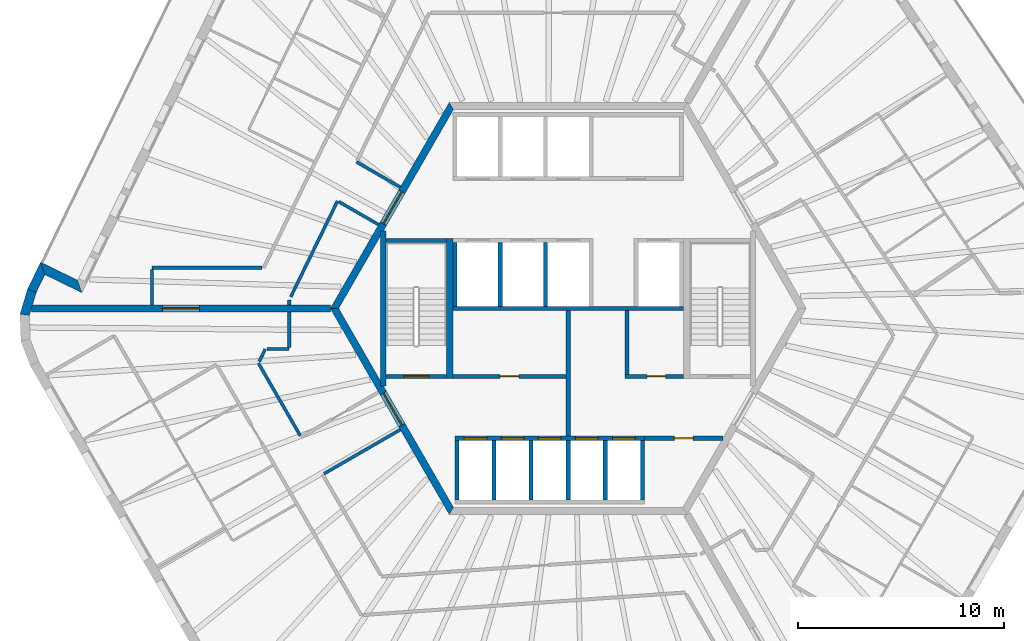
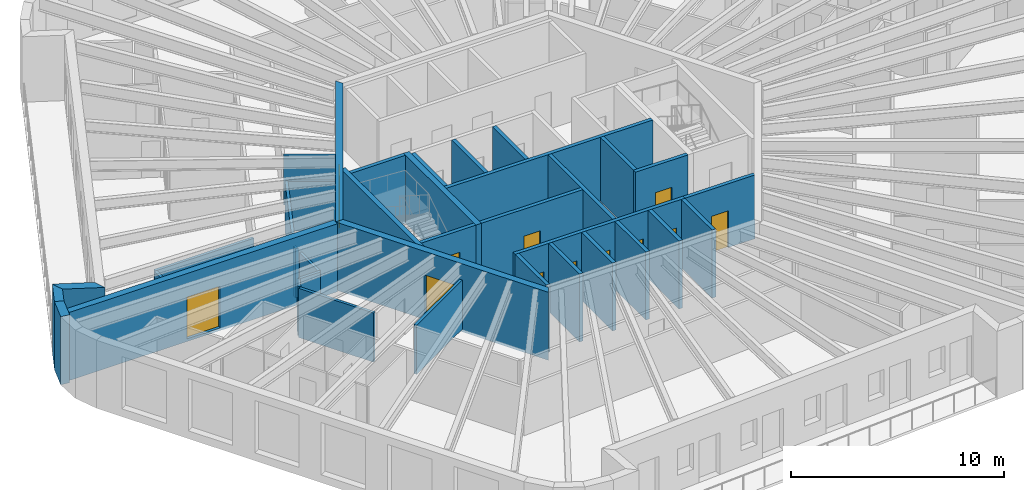
# One storey, part 4 of 11: 37 walls, 12 doors, 12 openings.
"""IFC4 building model written with IfcOpenShell, lengths in metres."""

from ifc_helpers import new_model, si_unit, direction, frame, frame_2d, origin, place, context, subcontext, project, spatial, polyline, rectangle, outline, extrude, material, layer, layer_set, type_object, element, fill, save


model = new_model("IFC4")

# Units and contexts
model_context = context("Model", 3, precision=1e-05, world=origin(), true_north=direction((0.0, 1.0)))
body_context = subcontext(model_context, "Body", "Model", "MODEL_VIEW")
ifc_project = project(units=[si_unit("LENGTHUNIT", "METRE"), si_unit("AREAUNIT", "SQUARE_METRE"), si_unit("VOLUMEUNIT", "CUBIC_METRE"), si_unit("PLANEANGLEUNIT", "RADIAN"), si_unit("MASSUNIT", "GRAM", prefix="KILO")], contexts=[model_context])

# Site, building, storey
site_placement = place(None, origin())
site = spatial("IfcSite", under=ifc_project, at=site_placement, CompositionType="ELEMENT")
building_placement = place(site_placement, origin())
building = spatial("IfcBuilding", under=site, at=building_placement, Name="Tarnside Tower", CompositionType="ELEMENT")
storey_placement = place(building_placement, frame((0.0, 0.0, 357.300048828125)))
storey = spatial("IfcBuildingStorey", under=building, at=storey_placement, Name="L86", CompositionType="ELEMENT", Elevation=357.300048828125)

# Wall, opening, door
ifc_material_1 = material(Name="Concrete C40/50", Category="concrete")
ifc_layer_1 = layer(ifc_material_1, 0.199951171875)
ifc_layer_set_1 = layer_set([ifc_layer_1], Name="Core room partition 200 C40/50")
wall_type_1 = type_object("IfcWallType", Name="Core room partition 200 C40/50", PredefinedType="PARTITIONING", material=ifc_layer_set_1)
wall_1_placement = place(storey_placement, frame((-5.60009765625, -3.300048828125, 0.0), z_axis=(0.0, 0.0, 1.0), x_axis=(1.0, 0.0, 0.0)))
wall_1 = element("IfcWall", 1, at=wall_1_placement, inside=storey, type_object=wall_type_1, Name="L86 core partition W3", PredefinedType="PARTITIONING", context=body_context, shape_type="SweptSolid", body=[
    extrude(rectangle(XDim=5.5, YDim=0.199951171875, at=frame_2d((2.75, 0.0))), origin(), (0.0, 0.0, 1.0), 3.64990234375),
])
opening_1_placement = place(wall_1_placement, frame((2.300048828125, 0.0, 0.0)))
opening_1 = element("IfcOpeningElement", 2, at=opening_1_placement, cuts=wall_1, Name="Opening CD-room", PredefinedType="OPENING", context=body_context, shape_type="SweptSolid", body=[
    extrude(rectangle(XDim=0.89990234375, YDim=2.10009765625, at=frame_2d((0.449951171875, 1.050048828125))), frame((0.0, 0.10986328125, 0.0), z_axis=(0.0, -1.0, 0.0), x_axis=(1.0, 0.0, 0.0)), (0.0, 0.0, 1.0), 0.219970703125),
])
ifc_material_2 = material(Name="Steel fire door", Category="steel")
door_type_1 = type_object("IfcDoorType", Name="Room door FD60 900x2100", OperationType="NOTDEFINED", PredefinedType="DOOR", material=ifc_material_2)
door_1_placement = place(opening_1_placement, origin())
door_1 = element("IfcDoor", 3, at=door_1_placement, inside=storey, type_object=door_type_1, Name="L86 core room door W3D", OperationType="SINGLE_SWING_LEFT", OverallHeight=2.10009765625, OverallWidth=0.89990234375, PredefinedType="DOOR", context=body_context, shape_type="SweptSolid", body=[
    extrude(rectangle(XDim=0.89990234375, YDim=2.10009765625, at=frame_2d((0.449951171875, 1.050048828125))), frame((0.0, 0.02490234375, 0.0), z_axis=(0.0, -1.0, 0.0), x_axis=(1.0, 0.0, 0.0)), (0.0, 0.0, 1.0), 0.050048828125),
])
fill(opening_1, door_1)

wall_2_placement = place(storey_placement, frame((2.75, -3.300048828125, 0.0), z_axis=(0.0, 0.0, 1.0), x_axis=(1.0, 0.0, 0.0)))
wall_2 = element("IfcWall", 4, at=wall_2_placement, inside=storey, type_object=wall_type_1, Name="L86 core partition R3S1", PredefinedType="PARTITIONING", context=body_context, shape_type="SweptSolid", body=[
    extrude(rectangle(XDim=2.85009765625, YDim=0.199951171875, at=frame_2d((1.425048828125, 0.0))), origin(), (0.0, 0.0, 1.0), 3.64990234375),
])
opening_2_placement = place(wall_2_placement, frame((1.074951171875, 0.0, 0.0)))
opening_2 = element("IfcOpeningElement", 5, at=opening_2_placement, cuts=wall_2, Name="Opening CD-room", PredefinedType="OPENING", context=body_context, shape_type="SweptSolid", body=[
    extrude(rectangle(XDim=0.89990234375, YDim=2.10009765625, at=frame_2d((0.449951171875, 1.050048828125))), frame((0.0, 0.10986328125, 0.0), z_axis=(0.0, -1.0, 0.0), x_axis=(1.0, 0.0, 0.0)), (0.0, 0.0, 1.0), 0.219970703125),
])
door_2_placement = place(opening_2_placement, origin())
door_2 = element("IfcDoor", 6, at=door_2_placement, inside=storey, type_object=door_type_1, Name="L86 core room door SR1", OperationType="SINGLE_SWING_LEFT", OverallHeight=2.10009765625, OverallWidth=0.89990234375, PredefinedType="DOOR", context=body_context, shape_type="SweptSolid", body=[
    extrude(rectangle(XDim=0.89990234375, YDim=2.10009765625, at=frame_2d((0.449951171875, 1.050048828125))), frame((0.0, 0.02490234375, 0.0), z_axis=(0.0, -1.0, 0.0), x_axis=(1.0, 0.0, 0.0)), (0.0, 0.0, 1.0), 0.050048828125),
])
fill(opening_2, door_2)

# Walls
wall_3_placement = place(storey_placement, frame((2.85009765625, -3.199951171875, 0.0), z_axis=(0.0, 0.0, 1.0), x_axis=(0.0, 1.0, 0.0)))
element("IfcWall", 7, at=wall_3_placement, inside=storey, type_object=wall_type_1, Name="L86 core partition R3P1a", PredefinedType="PARTITIONING", context=body_context, shape_type="SweptSolid", body=[
    extrude(rectangle(XDim=3.099853515625, YDim=0.199951171875, at=frame_2d((1.5498046875, 0.0))), origin(), (0.0, 0.0, 1.0), 3.64990234375),
])
wall_4_placement = place(storey_placement, frame((0.0, -6.199951171875, 0.0), z_axis=(0.0, 0.0, 1.0), x_axis=(0.0, 1.0, 0.0)))
element("IfcWall", 8, at=wall_4_placement, inside=storey, type_object=wall_type_1, Name="L86 core partition X0", PredefinedType="PARTITIONING", context=body_context, shape_type="SweptSolid", body=[
    extrude(rectangle(XDim=6.099853515625, YDim=0.199951171875, at=frame_2d((3.0498046875, 0.0))), origin(), (0.0, 0.0, 1.0), 3.64990234375),
])

# Wall, opening, door
wall_5_placement = place(storey_placement, frame((3.699951171875, -6.300048828125, 0.0), z_axis=(0.0, 0.0, 1.0), x_axis=(1.0, 0.0, 0.0)))
wall_5 = element("IfcWall", 9, at=wall_5_placement, inside=storey, type_object=wall_type_1, Name="L86 core partition R4X", PredefinedType="PARTITIONING", context=body_context, shape_type="SweptSolid", body=[
    extrude(rectangle(XDim=3.8056640625, YDim=0.199951171875, at=frame_2d((1.90283203125, 0.0))), origin(), (0.0, 0.0, 1.0), 3.64990234375),
])
opening_3_placement = place(wall_5_placement, frame((1.452880859375, 0.0, 0.0)))
opening_3 = element("IfcOpeningElement", 10, at=opening_3_placement, cuts=wall_5, Name="Opening CD-room", PredefinedType="OPENING", context=body_context, shape_type="SweptSolid", body=[
    extrude(rectangle(XDim=0.89990234375, YDim=2.10009765625, at=frame_2d((0.449951171875, 1.050048828125))), frame((0.0, 0.10986328125, 0.0), z_axis=(0.0, -1.0, 0.0), x_axis=(1.0, 0.0, 0.0)), (0.0, 0.0, 1.0), 0.219970703125),
])
door_3_placement = place(opening_3_placement, origin())
door_3 = element("IfcDoor", 11, at=door_3_placement, inside=storey, type_object=door_type_1, Name="L86 core room door RX", OperationType="SINGLE_SWING_LEFT", OverallHeight=2.10009765625, OverallWidth=0.89990234375, PredefinedType="DOOR", context=body_context, shape_type="SweptSolid", body=[
    extrude(rectangle(XDim=0.89990234375, YDim=2.10009765625, at=frame_2d((0.449951171875, 1.050048828125))), frame((0.0, 0.02490234375, 0.0), z_axis=(0.0, -1.0, 0.0), x_axis=(1.0, 0.0, 0.0)), (0.0, 0.0, 1.0), 0.050048828125),
])
fill(opening_3, door_3)

ifc_material_3 = material(Name="Concrete C50/60", Category="concrete")
ifc_layer_2 = layer(ifc_material_3, 0.35009765625)
ifc_layer_set_2 = layer_set([ifc_layer_2], Name="Core wall Z4 350 C50/60")
wall_type_2 = type_object("IfcWallType", Name="Core wall Z4 350 C50/60", PredefinedType="SHEAR", material=ifc_layer_set_2)
wall_6_placement = place(storey_placement, frame((-5.672607421875, 9.824951171875, -0.150146484375), z_axis=(0.0, 0.0, 1.0), x_axis=(-0.499995046907, -0.866028263435, 0.0)))
wall_6 = element("IfcWall", 12, at=wall_6_placement, inside=storey, type_object=wall_type_2, Name="L86 core wall face 2", PredefinedType="SHEAR", context=body_context, shape_type="SweptSolid", body=[
    extrude(outline(polyline([(-0.10107421875, -0.175048828125), (11.44580078125, -0.175048828125), (11.24365234375, 0.175048828125), (0.10107421875, 0.175048828125), (-0.10107421875, -0.175048828125)])), origin(), (0.0, 0.0, 1.0), 3.900146484375),
])
opening_4_placement = place(wall_6_placement, frame((4.80126953125, 0.0, 0.14990234375)))
opening_4 = element("IfcOpeningElement", 13, at=opening_4_placement, cuts=wall_6, Name="Opening CD-LOB", PredefinedType="OPENING", context=body_context, shape_type="SweptSolid", body=[
    extrude(rectangle(XDim=1.800048828125, YDim=2.39990234375, at=frame_2d((0.89990234375, 1.199951171875))), frame((0.0, 0.18505859375, 0.0), z_axis=(0.0, -1.0, 0.0), x_axis=(1.0, 0.0, 0.0)), (0.0, 0.0, 1.0), 0.3701171875),
])
door_type_2 = type_object("IfcDoorType", Name="Lobby double door FD30S 1800x2400", OperationType="NOTDEFINED", PredefinedType="DOOR", material=ifc_material_2)
door_4_placement = place(opening_4_placement, origin())
door_4 = element("IfcDoor", 14, at=door_4_placement, inside=storey, type_object=door_type_2, Name="L86 core door P1", OperationType="DOUBLE_DOOR_SINGLE_SWING", OverallHeight=2.39990234375, OverallWidth=1.800048828125, PredefinedType="DOOR", context=body_context, shape_type="SweptSolid", body=[
    extrude(rectangle(XDim=1.800048828125, YDim=2.39990234375, at=frame_2d((0.89990234375, 1.199951171875))), frame((0.0, 0.02490234375, 0.0), z_axis=(0.0, -1.0, 0.0), x_axis=(1.0, 0.0, 0.0)), (0.0, 0.0, 1.0), 0.050048828125),
])
fill(opening_4, door_4)

wall_7_placement = place(storey_placement, frame((-11.344970703125, 0.0, -0.150146484375), z_axis=(0.0, 0.0, 1.0), x_axis=(0.499995046907, -0.866028263435, 0.0)))
wall_7 = element("IfcWall", 15, at=wall_7_placement, inside=storey, type_object=wall_type_2, Name="L86 core wall face 3", PredefinedType="SHEAR", context=body_context, shape_type="SweptSolid", body=[
    extrude(outline(polyline([(-0.10107421875, -0.175048828125), (11.44580078125, -0.175048828125), (11.24365234375, 0.175048828125), (0.10107421875, 0.175048828125), (-0.10107421875, -0.175048828125)])), origin(), (0.0, 0.0, 1.0), 3.900146484375),
])
opening_5_placement = place(wall_7_placement, frame((4.74365234375, 0.0, 0.14990234375)))
opening_5 = element("IfcOpeningElement", 16, at=opening_5_placement, cuts=wall_7, Name="Opening CD-FFL", PredefinedType="OPENING", context=body_context, shape_type="SweptSolid", body=[
    extrude(rectangle(XDim=1.800048828125, YDim=2.39990234375, at=frame_2d((0.89990234375, 1.199951171875))), frame((0.0, 0.18505859375, 0.0), z_axis=(0.0, -1.0, 0.0), x_axis=(1.0, 0.0, 0.0)), (0.0, 0.0, 1.0), 0.3701171875),
])
door_type_3 = type_object("IfcDoorType", Name="Firefighting lobby double door FD60S 1800x2400", OperationType="NOTDEFINED", PredefinedType="DOOR", material=ifc_material_2)
door_5_placement = place(opening_5_placement, origin())
door_5 = element("IfcDoor", 17, at=door_5_placement, inside=storey, type_object=door_type_3, Name="L86 core door P3", OperationType="DOUBLE_DOOR_SINGLE_SWING", OverallHeight=2.39990234375, OverallWidth=1.800048828125, PredefinedType="DOOR", context=body_context, shape_type="SweptSolid", body=[
    extrude(rectangle(XDim=1.800048828125, YDim=2.39990234375, at=frame_2d((0.89990234375, 1.199951171875))), frame((0.0, 0.02490234375, 0.0), z_axis=(0.0, -1.0, 0.0), x_axis=(1.0, 0.0, 0.0)), (0.0, 0.0, 1.0), 0.050048828125),
])
fill(opening_5, door_5)

wall_8_placement = place(storey_placement, frame((-11.547119140625, 0.0, -0.150146484375), z_axis=(0.0, 0.0, 1.0), x_axis=(-1.0, 0.0, 0.0)))
wall_8 = element("IfcWall", 18, at=wall_8_placement, inside=storey, type_object=wall_type_2, Name="L86 spine wall 2", PredefinedType="SHEAR", context=body_context, shape_type="SweptSolid", body=[
    extrude(rectangle(XDim=14.510498046875, YDim=0.35009765625, at=frame_2d((7.25537109375, 0.0))), origin(), (0.0, 0.0, 1.0), 3.900146484375),
])
opening_6_placement = place(wall_8_placement, frame((6.355224609375, 0.0, 0.14990234375)))
opening_6 = element("IfcOpeningElement", 19, at=opening_6_placement, cuts=wall_8, Name="Opening CD-SPN", PredefinedType="OPENING", context=body_context, shape_type="SweptSolid", body=[
    extrude(rectangle(XDim=1.800048828125, YDim=2.39990234375, at=frame_2d((0.89990234375, 1.199951171875))), frame((0.0, 0.18505859375, 0.0), z_axis=(0.0, -1.0, 0.0), x_axis=(1.0, 0.0, 0.0)), (0.0, 0.0, 1.0), 0.3701171875),
])
door_type_4 = type_object("IfcDoorType", Name="Spine passage double door FD60 1800x2400", OperationType="NOTDEFINED", PredefinedType="DOOR", material=ifc_material_2)
door_6_placement = place(opening_6_placement, origin())
door_6 = element("IfcDoor", 20, at=door_6_placement, inside=storey, type_object=door_type_4, Name="L86 spine passage door 2", OperationType="DOUBLE_DOOR_SINGLE_SWING", OverallHeight=2.39990234375, OverallWidth=1.800048828125, PredefinedType="DOOR", context=body_context, shape_type="SweptSolid", body=[
    extrude(rectangle(XDim=1.800048828125, YDim=2.39990234375, at=frame_2d((0.89990234375, 1.199951171875))), frame((0.0, 0.02490234375, 0.0), z_axis=(0.0, -1.0, 0.0), x_axis=(1.0, 0.0, 0.0)), (0.0, 0.0, 1.0), 0.050048828125),
])
fill(opening_6, door_6)

# Walls
ifc_material_4 = material(Name="Gypsum board partition on steel studs", Category="steel")
ifc_layer_3 = layer(ifc_material_4, 0.14990234375)
ifc_layer_set_3 = layer_set([ifc_layer_3], Name="Corridor wall 150 EI 60")
wall_type_3 = type_object("IfcWallType", Name="Corridor wall 150 EI 60", PredefinedType="PARTITIONING", material=ifc_layer_set_3)
wall_9_placement = place(storey_placement, frame((-14.863525390625, 1.97509765625, 0.0), z_axis=(0.0, 0.0, 1.0), x_axis=(-1.0, 0.0, 0.0)))
element("IfcWall", 21, at=wall_9_placement, inside=storey, type_object=wall_type_3, Name="Corridor wall 27010", PredefinedType="PARTITIONING", context=body_context, shape_type="SweptSolid", body=[
    extrude(rectangle(XDim=5.3388671875, YDim=0.14990234375, at=frame_2d((2.66943359375, 0.0))), origin(), (0.0, 0.0, 1.0), 2.820068359375),
])
wall_10_placement = place(storey_placement, frame((-20.202392578125, 1.89990234375, 0.0), z_axis=(0.0, 0.0, 1.0), x_axis=(0.0, -1.0, 0.0)))
element("IfcWall", 22, at=wall_10_placement, inside=storey, type_object=wall_type_3, Name="Corridor wall 27011", PredefinedType="PARTITIONING", context=body_context, shape_type="SweptSolid", body=[
    extrude(rectangle(XDim=1.724853515625, YDim=0.14990234375, at=frame_2d((0.8623046875, 0.0))), origin(), (0.0, 0.0, 1.0), 2.820068359375),
])
wall_11_placement = place(storey_placement, frame((-13.54052734375, 0.175048828125, 0.0), z_axis=(0.0, 0.0, 1.0), x_axis=(0.0, 1.0, 0.0)))
element("IfcWall", 23, at=wall_11_placement, inside=storey, type_object=wall_type_3, Name="Corridor wall 27015", PredefinedType="PARTITIONING", context=body_context, shape_type="SweptSolid", body=[
    extrude(rectangle(XDim=0.235107421875, YDim=0.14990234375, at=frame_2d((0.11767578125, 0.0))), origin(), (0.0, 0.0, 1.0), 2.820068359375),
])
wall_12_placement = place(storey_placement, frame((-13.465576171875, 0.563720703125, 0.0), z_axis=(0.0, 0.0, 1.0), x_axis=(0.438366040624, 0.898796536724, 0.0)))
element("IfcWall", 24, at=wall_12_placement, inside=storey, type_object=wall_type_3, Name="Corridor wall 27016", PredefinedType="PARTITIONING", context=body_context, shape_type="SweptSolid", body=[
    extrude(rectangle(XDim=5.178466796875, YDim=0.14990234375, at=frame_2d((2.58935546875, 0.0))), origin(), (0.0, 0.0, 1.0), 2.820068359375),
])
wall_13_placement = place(storey_placement, frame((-11.130615234375, 5.180419921875, 0.0), z_axis=(0.0, 0.0, 1.0), x_axis=(0.866037886895, -0.499978377995, 0.0)))
element("IfcWall", 25, at=wall_13_placement, inside=storey, type_object=wall_type_3, Name="Corridor wall 27017", PredefinedType="PARTITIONING", context=body_context, shape_type="SweptSolid", body=[
    extrude(rectangle(XDim=2.2294921875, YDim=0.14990234375, at=frame_2d((1.11474609375, 0.0))), origin(), (0.0, 0.0, 1.0), 2.820068359375),
])
wall_14_placement = place(storey_placement, frame((-8.149658203125, 5.88427734375, 0.0), z_axis=(0.0, 0.0, 1.0), x_axis=(-0.866009790468, 0.500027042082, 0.0)))
element("IfcWall", 26, at=wall_14_placement, inside=storey, type_object=wall_type_3, Name="Corridor wall 27018", PredefinedType="PARTITIONING", context=body_context, shape_type="SweptSolid", body=[
    extrude(rectangle(XDim=2.451416015625, YDim=0.14990234375, at=frame_2d((1.2255859375, 0.0))), origin(), (0.0, 0.0, 1.0), 2.820068359375),
])
wall_15_placement = place(storey_placement, frame((-13.00439453125, -6.17578125, 0.0), z_axis=(0.0, 0.0, 1.0), x_axis=(-0.500022342669, 0.866012503854, 0.0)))
element("IfcWall", 27, at=wall_15_placement, inside=storey, type_object=wall_type_3, Name="Corridor wall 27035", PredefinedType="PARTITIONING", context=body_context, shape_type="SweptSolid", body=[
    extrude(rectangle(XDim=4.063720703125, YDim=0.14990234375, at=frame_2d((2.03173828125, 0.0))), origin(), (0.0, 0.0, 1.0), 2.820068359375),
])
wall_16_placement = place(storey_placement, frame((-14.99658203125, -2.5751953125, 0.0), z_axis=(0.0, 0.0, 1.0), x_axis=(0.438416427913, 0.898771959808, 0.0)))
element("IfcWall", 28, at=wall_16_placement, inside=storey, type_object=wall_type_3, Name="Corridor wall 27036", PredefinedType="PARTITIONING", context=body_context, shape_type="SweptSolid", body=[
    extrude(rectangle(XDim=0.667724609375, YDim=0.14990234375, at=frame_2d((0.333984375, 0.0))), origin(), (0.0, 0.0, 1.0), 2.820068359375),
])
wall_17_placement = place(storey_placement, frame((-14.620361328125, -1.97509765625, 0.0), z_axis=(0.0, 0.0, 1.0), x_axis=(1.0, 0.0, 0.0)))
element("IfcWall", 29, at=wall_17_placement, inside=storey, type_object=wall_type_3, Name="Corridor wall 27037", PredefinedType="PARTITIONING", context=body_context, shape_type="SweptSolid", body=[
    extrude(rectangle(XDim=1.079833984375, YDim=0.14990234375, at=frame_2d((0.5400390625, 0.0))), origin(), (0.0, 0.0, 1.0), 2.820068359375),
])
wall_18_placement = place(storey_placement, frame((-13.54052734375, -1.89990234375, 0.0), z_axis=(0.0, 0.0, 1.0), x_axis=(0.0, 1.0, 0.0)))
element("IfcWall", 30, at=wall_18_placement, inside=storey, type_object=wall_type_3, Name="Corridor wall 27038", PredefinedType="PARTITIONING", context=body_context, shape_type="SweptSolid", body=[
    extrude(rectangle(XDim=1.724853515625, YDim=0.14990234375, at=frame_2d((0.8623046875, 0.0))), origin(), (0.0, 0.0, 1.0), 2.820068359375),
])
wall_19_placement = place(storey_placement, frame((-11.85205078125, -8.021728515625, 0.0), z_axis=(0.0, 0.0, 1.0), x_axis=(0.866038183914, 0.499977863513, 0.0)))
element("IfcWall", 31, at=wall_19_placement, inside=storey, type_object=wall_type_3, Name="Corridor wall 27042", PredefinedType="PARTITIONING", context=body_context, shape_type="SweptSolid", body=[
    extrude(rectangle(XDim=4.275146484375, YDim=0.14990234375, at=frame_2d((2.1376953125, 0.0))), origin(), (0.0, 0.0, 1.0), 2.820068359375),
])
ifc_layer_4 = layer(ifc_material_1, 0.199951171875)
ifc_layer_set_4 = layer_set([ifc_layer_4], Name="Lift shaft wall 200 C40/50")
wall_type_4 = type_object("IfcWallType", Name="Lift shaft wall 200 C40/50", PredefinedType="SHEAR", material=ifc_layer_set_4)
wall_20_placement = place(storey_placement, frame((-5.60009765625, 0.0, -0.25), z_axis=(0.0, 0.0, 1.0), x_axis=(1.0, 0.0, 0.0)))
element("IfcWall", 32, at=wall_20_placement, inside=storey, type_object=wall_type_4, Name="L86 lift shaft back wall R2", PredefinedType="SHEAR", context=body_context, shape_type="SweptSolid", body=[
    extrude(rectangle(XDim=11.2001953125, YDim=0.199951171875, at=frame_2d((5.60009765625, 0.0))), origin(), (0.0, 0.0, 1.0), 3.89990234375),
])
for number, where, z_axis, x_axis, name in (
    (33, (-5.5, 0.10009765625, -0.25), (0.0, 0.0, 1.0), (0.0, 1.0, 0.0), "L86 lift shaft partition R21"),
    (34, (-3.300048828125, 0.10009765625, -0.25), (0.0, 0.0, 1.0), (0.0, 1.0, 0.0), "L86 lift shaft partition R22"),
    (35, (-1.10009765625, 0.10009765625, -0.25), (0.0, 0.0, 1.0), (0.0, 1.0, 0.0), "L86 lift shaft partition R23"),
):
    element("IfcWall", number, at=place(storey_placement, frame(where, z_axis=z_axis, x_axis=x_axis)), inside=storey, type_object=wall_type_4, Name=name, PredefinedType="SHEAR", context=body_context, shape_type="SweptSolid", body=[
        extrude(rectangle(XDim=3.099853515625, YDim=0.199951171875, at=frame_2d((1.5498046875, 0.0))), origin(), (0.0, 0.0, 1.0), 3.89990234375),
    ])

# Wall, openings, doors
wall_21_placement = place(storey_placement, frame((-5.5, -6.300048828125, -0.25), z_axis=(0.0, 0.0, 1.0), x_axis=(1.0, 0.0, 0.0)))
wall_21 = element("IfcWall", 36, at=wall_21_placement, inside=storey, type_object=wall_type_4, Name="L86 lift shaft front wall R4", PredefinedType="SHEAR", context=body_context, shape_type="SweptSolid", body=[
    extrude(rectangle(XDim=9.199951171875, YDim=0.199951171875, at=frame_2d((4.60009765625, 0.0))), origin(), (0.0, 0.0, 1.0), 3.89990234375),
])
opening_7_placement = place(wall_21_placement, frame((0.449951171875, 0.0, 0.25)))
opening_7 = element("IfcOpeningElement", 37, at=opening_7_placement, cuts=wall_21, Name="Opening LDF", PredefinedType="OPENING", context=body_context, shape_type="SweptSolid", body=[
    extrude(rectangle(XDim=1.10009765625, YDim=2.10009765625, at=frame_2d((0.550048828125, 1.050048828125))), frame((0.0, 0.10986328125, 0.0), z_axis=(0.0, -1.0, 0.0), x_axis=(1.0, 0.0, 0.0)), (0.0, 0.0, 1.0), 0.219970703125),
])
opening_8_placement = place(wall_21_placement, frame((2.25, 0.0, 0.25)))
opening_8 = element("IfcOpeningElement", 38, at=opening_8_placement, cuts=wall_21, Name="Opening LDF", PredefinedType="OPENING", context=body_context, shape_type="SweptSolid", body=[
    extrude(rectangle(XDim=1.10009765625, YDim=2.10009765625, at=frame_2d((0.550048828125, 1.050048828125))), frame((0.0, 0.10986328125, 0.0), z_axis=(0.0, -1.0, 0.0), x_axis=(1.0, 0.0, 0.0)), (0.0, 0.0, 1.0), 0.219970703125),
])
opening_9_placement = place(wall_21_placement, frame((4.050048828125, 0.0, 0.25)))
opening_9 = element("IfcOpeningElement", 39, at=opening_9_placement, cuts=wall_21, Name="Opening LDF", PredefinedType="OPENING", context=body_context, shape_type="SweptSolid", body=[
    extrude(rectangle(XDim=1.10009765625, YDim=2.10009765625, at=frame_2d((0.550048828125, 1.050048828125))), frame((0.0, 0.10986328125, 0.0), z_axis=(0.0, -1.0, 0.0), x_axis=(1.0, 0.0, 0.0)), (0.0, 0.0, 1.0), 0.219970703125),
])
opening_10_placement = place(wall_21_placement, frame((5.85009765625, 0.0, 0.25)))
opening_10 = element("IfcOpeningElement", 40, at=opening_10_placement, cuts=wall_21, Name="Opening LDF", PredefinedType="OPENING", context=body_context, shape_type="SweptSolid", body=[
    extrude(rectangle(XDim=1.10009765625, YDim=2.10009765625, at=frame_2d((0.550048828125, 1.050048828125))), frame((0.0, 0.10986328125, 0.0), z_axis=(0.0, -1.0, 0.0), x_axis=(1.0, 0.0, 0.0)), (0.0, 0.0, 1.0), 0.219970703125),
])
opening_11_placement = place(wall_21_placement, frame((7.64990234375, 0.0, 0.25)))
opening_11 = element("IfcOpeningElement", 41, at=opening_11_placement, cuts=wall_21, Name="Opening LDF", PredefinedType="OPENING", context=body_context, shape_type="SweptSolid", body=[
    extrude(rectangle(XDim=1.10009765625, YDim=2.10009765625, at=frame_2d((0.550048828125, 1.050048828125))), frame((0.0, 0.10986328125, 0.0), z_axis=(0.0, -1.0, 0.0), x_axis=(1.0, 0.0, 0.0)), (0.0, 0.0, 1.0), 0.219970703125),
])
ifc_material_5 = material(Name="Stainless steel", Category="steel")
door_type_5 = type_object("IfcDoorType", Name="Lift landing door 1100x2100 EI 120", OperationType="NOTDEFINED", PredefinedType="DOOR", material=ifc_material_5)
door_7_placement = place(opening_7_placement, origin())
door_7 = element("IfcDoor", 42, at=door_7_placement, inside=storey, type_object=door_type_5, Name="Firefighting lift 1 landing door L86", OperationType="SLIDING_TO_LEFT", OverallHeight=2.10009765625, OverallWidth=1.10009765625, PredefinedType="DOOR", context=body_context, shape_type="SweptSolid", body=[
    extrude(rectangle(XDim=1.10009765625, YDim=2.10009765625, at=frame_2d((0.550048828125, 1.050048828125))), frame((0.0, 0.02490234375, 0.0), z_axis=(0.0, -1.0, 0.0), x_axis=(1.0, 0.0, 0.0)), (0.0, 0.0, 1.0), 0.050048828125),
])
fill(opening_7, door_7)
door_8_placement = place(opening_8_placement, origin())
door_8 = element("IfcDoor", 43, at=door_8_placement, inside=storey, type_object=door_type_5, Name="Firefighting lift 2 landing door L86", OperationType="SLIDING_TO_LEFT", OverallHeight=2.10009765625, OverallWidth=1.10009765625, PredefinedType="DOOR", context=body_context, shape_type="SweptSolid", body=[
    extrude(rectangle(XDim=1.10009765625, YDim=2.10009765625, at=frame_2d((0.550048828125, 1.050048828125))), frame((0.0, 0.02490234375, 0.0), z_axis=(0.0, -1.0, 0.0), x_axis=(1.0, 0.0, 0.0)), (0.0, 0.0, 1.0), 0.050048828125),
])
fill(opening_8, door_8)
door_9_placement = place(opening_9_placement, origin())
door_9 = element("IfcDoor", 44, at=door_9_placement, inside=storey, type_object=door_type_5, Name="Firefighting lift 3 landing door L86", OperationType="SLIDING_TO_LEFT", OverallHeight=2.10009765625, OverallWidth=1.10009765625, PredefinedType="DOOR", context=body_context, shape_type="SweptSolid", body=[
    extrude(rectangle(XDim=1.10009765625, YDim=2.10009765625, at=frame_2d((0.550048828125, 1.050048828125))), frame((0.0, 0.02490234375, 0.0), z_axis=(0.0, -1.0, 0.0), x_axis=(1.0, 0.0, 0.0)), (0.0, 0.0, 1.0), 0.050048828125),
])
fill(opening_9, door_9)
door_10_placement = place(opening_10_placement, origin())
door_10 = element("IfcDoor", 45, at=door_10_placement, inside=storey, type_object=door_type_5, Name="Firefighting lift 4 landing door L86", OperationType="SLIDING_TO_LEFT", OverallHeight=2.10009765625, OverallWidth=1.10009765625, PredefinedType="DOOR", context=body_context, shape_type="SweptSolid", body=[
    extrude(rectangle(XDim=1.10009765625, YDim=2.10009765625, at=frame_2d((0.550048828125, 1.050048828125))), frame((0.0, 0.02490234375, 0.0), z_axis=(0.0, -1.0, 0.0), x_axis=(1.0, 0.0, 0.0)), (0.0, 0.0, 1.0), 0.050048828125),
])
fill(opening_10, door_10)
door_11_placement = place(opening_11_placement, origin())
door_11 = element("IfcDoor", 46, at=door_11_placement, inside=storey, type_object=door_type_5, Name="Firefighting lift 5 landing door L86", OperationType="SLIDING_TO_LEFT", OverallHeight=2.10009765625, OverallWidth=1.10009765625, PredefinedType="DOOR", context=body_context, shape_type="SweptSolid", body=[
    extrude(rectangle(XDim=1.10009765625, YDim=2.10009765625, at=frame_2d((0.550048828125, 1.050048828125))), frame((0.0, 0.02490234375, 0.0), z_axis=(0.0, -1.0, 0.0), x_axis=(1.0, 0.0, 0.0)), (0.0, 0.0, 1.0), 0.050048828125),
])
fill(opening_11, door_11)

# Walls
for number, where, z_axis, x_axis, name in (
    (47, (-5.39990234375, -9.300048828125, -0.25), (0.0, 0.0, 1.0), (0.0, 1.0, 0.0), "L86 lift shaft partition R41"),
    (48, (-3.60009765625, -9.300048828125, -0.25), (0.0, 0.0, 1.0), (0.0, 1.0, 0.0), "L86 lift shaft partition R42"),
    (49, (-1.800048828125, -9.300048828125, -0.25), (0.0, 0.0, 1.0), (0.0, 1.0, 0.0), "L86 lift shaft partition R43"),
    (50, (0.0, -9.300048828125, -0.25), (0.0, 0.0, 1.0), (0.0, 1.0, 0.0), "L86 lift shaft partition R44"),
    (51, (1.800048828125, -9.300048828125, -0.25), (0.0, 0.0, 1.0), (0.0, 1.0, 0.0), "L86 lift shaft partition R45"),
    (52, (3.60009765625, -9.300048828125, -0.25), (0.0, 0.0, 1.0), (0.0, 1.0, 0.0), "L86 lift shaft partition R46"),
):
    element("IfcWall", number, at=place(storey_placement, frame(where, z_axis=z_axis, x_axis=x_axis)), inside=storey, type_object=wall_type_4, Name=name, PredefinedType="SHEAR", context=body_context, shape_type="SweptSolid", body=[
        extrude(rectangle(XDim=2.900146484375, YDim=0.199951171875, at=frame_2d((1.4501953125, 0.0))), origin(), (0.0, 0.0, 1.0), 3.89990234375),
    ])
wall_22_placement = place(storey_placement, frame((-8.85009765625, 3.300048828125, -0.25), z_axis=(0.0, 0.0, 1.0), x_axis=(1.0, 0.0, 0.0)))
element("IfcWall", 53, at=wall_22_placement, inside=storey, type_object=wall_type_4, Name="L86 stair 2 enclosure cap wall n", PredefinedType="SHEAR", context=body_context, shape_type="SweptSolid", body=[
    extrude(rectangle(XDim=2.9501953125, YDim=0.199951171875, at=frame_2d((1.47509765625, 0.0))), origin(), (0.0, 0.0, 1.0), 3.89990234375),
])

# Wall, opening, door
wall_23_placement = place(storey_placement, frame((-8.85009765625, -3.300048828125, -0.25), z_axis=(0.0, 0.0, 1.0), x_axis=(1.0, 0.0, 0.0)))
wall_23 = element("IfcWall", 54, at=wall_23_placement, inside=storey, type_object=wall_type_4, Name="L86 stair 2 enclosure cap wall s", PredefinedType="SHEAR", context=body_context, shape_type="SweptSolid", body=[
    extrude(rectangle(XDim=2.9501953125, YDim=0.199951171875, at=frame_2d((1.47509765625, 0.0))), origin(), (0.0, 0.0, 1.0), 3.89990234375),
])
opening_12_placement = place(wall_23_placement, frame((0.875, 0.0, 0.25)))
opening_12 = element("IfcOpeningElement", 55, at=opening_12_placement, cuts=wall_23, Name="Opening CD-STR", PredefinedType="OPENING", context=body_context, shape_type="SweptSolid", body=[
    extrude(rectangle(XDim=1.199951171875, YDim=2.39990234375, at=frame_2d((0.60009765625, 1.199951171875))), frame((0.0, 0.10986328125, 0.0), z_axis=(0.0, -1.0, 0.0), x_axis=(1.0, 0.0, 0.0)), (0.0, 0.0, 1.0), 0.219970703125),
])
door_type_6 = type_object("IfcDoorType", Name="Stair door FD60S 1200x2400", OperationType="NOTDEFINED", PredefinedType="DOOR", material=ifc_material_2)
door_12_placement = place(opening_12_placement, origin())
door_12 = element("IfcDoor", 56, at=door_12_placement, inside=storey, type_object=door_type_6, Name="L86 stair 2 door", OperationType="SINGLE_SWING_LEFT", OverallHeight=2.39990234375, OverallWidth=1.199951171875, PredefinedType="DOOR", context=body_context, shape_type="SweptSolid", body=[
    extrude(rectangle(XDim=1.199951171875, YDim=2.39990234375, at=frame_2d((0.60009765625, 1.199951171875))), frame((0.0, 0.02490234375, 0.0), z_axis=(0.0, -1.0, 0.0), x_axis=(1.0, 0.0, 0.0)), (0.0, 0.0, 1.0), 0.050048828125),
])
fill(opening_12, door_12)

# Walls
ifc_material_6 = material(Name="Dark zinc cladding")
ifc_layer_5 = layer(ifc_material_6, 0.10205078125)
ifc_material_7 = material(Name="Concrete C60/75 precast", Category="concrete")
ifc_layer_6 = layer(ifc_material_7, 0.248046875)
ifc_material_8 = material(Name="Mineral wool insulation")
ifc_layer_7 = layer(ifc_material_8, 0.10009765625)
ifc_layer_set_5 = layer_set([ifc_layer_5, ifc_layer_6, ifc_layer_7], Name="Loggia wall 450 zinc faced")
wall_type_5 = type_object("IfcWallType", Name="Loggia wall 450 zinc faced", PredefinedType="SOLIDWALL", material=ifc_layer_set_5)
wall_24_placement = place(storey_placement, frame((-23.70703125, 1.066162109375, -0.150146484375), z_axis=(0.0, 0.0, 1.0), x_axis=(-0.898779005228, 0.438401984213, 0.0)))
element("IfcWall", 57, at=wall_24_placement, inside=storey, type_object=wall_type_5, Name="Tube wall L86 F2 return 07", PredefinedType="SOLIDWALL", context=body_context, shape_type="SweptSolid", body=[
    extrude(outline(polyline([(0.224853515625, -0.22509765625), (2.224609375, -0.22509765625), (1.77490234375, 0.22509765625), (-0.224853515625, 0.22509765625), (0.224853515625, -0.22509765625)])), origin(), (0.0, 0.0, 1.0), 3.900146484375),
])
wall_25_placement = place(storey_placement, frame((-25.50439453125, 1.94287109375, -0.150146484375), z_axis=(0.0, 0.0, 1.0), x_axis=(-0.43840359141, -0.898778221275, 0.0)))
element("IfcWall", 58, at=wall_25_placement, inside=storey, type_object=wall_type_5, Name="Tube wall L86 F2 stub 08", PredefinedType="SOLIDWALL", context=body_context, shape_type="SweptSolid", body=[
    extrude(outline(polyline([(-0.224853515625, -0.22509765625), (1.218505859375, -0.22509765625), (1.181884765625, 0.22509765625), (0.224853515625, 0.22509765625), (-0.224853515625, -0.22509765625)])), origin(), (0.0, 0.0, 1.0), 3.900146484375),
])
ifc_layer_8 = layer(ifc_material_1, 0.25)
ifc_layer_set_6 = layer_set([ifc_layer_8], Name="Stair enclosure wall 250 C40/50")
wall_type_6 = type_object("IfcWallType", Name="Stair enclosure wall 250 C40/50", PredefinedType="SHEAR", material=ifc_layer_set_6)
wall_26_placement = place(storey_placement, frame((-8.97509765625, -3.7548828125, -0.25), z_axis=(0.0, 0.0, 1.0), x_axis=(0.0, 1.0, 0.0)))
element("IfcWall", 59, at=wall_26_placement, inside=storey, type_object=wall_type_6, Name="L86 stair 2 enclosure wall outer", PredefinedType="SHEAR", context=body_context, shape_type="SweptSolid", body=[
    extrude(rectangle(XDim=7.509765625, YDim=0.25, at=frame_2d((3.7548828125, 0.0))), origin(), (0.0, 0.0, 1.0), 3.89990234375),
])
ifc_layer_9 = layer(ifc_material_1, 0.300048828125)
ifc_layer_set_7 = layer_set([ifc_layer_9], Name="Stair enclosure wall 300 C40/50")
wall_type_7 = type_object("IfcWallType", Name="Stair enclosure wall 300 C40/50", PredefinedType="SHEAR", material=ifc_layer_set_7)
wall_27_placement = place(storey_placement, frame((-5.75, -3.39990234375, -0.25), z_axis=(0.0, 0.0, 1.0), x_axis=(0.0, 1.0, 0.0)))
element("IfcWall", 60, at=wall_27_placement, inside=storey, type_object=wall_type_7, Name="L86 stair 2 enclosure wall inner", PredefinedType="SHEAR", context=body_context, shape_type="SweptSolid", body=[
    extrude(rectangle(XDim=6.7998046875, YDim=0.300048828125, at=frame_2d((3.39990234375, 0.0))), origin(), (0.0, 0.0, 1.0), 3.89990234375),
])
ifc_material_9 = material(Name="Facing brick", Category="masonry")
ifc_layer_10 = layer(ifc_material_9, 0.10205078125)
ifc_layer_11 = layer(ifc_material_7, 0.248046875)
ifc_layer_12 = layer(ifc_material_8, 0.10009765625)
ifc_layer_set_8 = layer_set([ifc_layer_10, ifc_layer_11, ifc_layer_12], Name="Tube wall 450 brick faced")
wall_type_8 = type_object("IfcWallType", Name="Tube wall 450 brick faced", PredefinedType="SOLIDWALL", material=ifc_layer_set_8)
wall_28_placement = place(storey_placement, frame((-26.030517578125, 0.8642578125, -0.150146484375), z_axis=(0.0, 0.0, 1.0), x_axis=(-0.286945389156, -0.957946941977, 0.0)))
element("IfcWall", 61, at=wall_28_placement, inside=storey, type_object=wall_type_8, Name="Tube wall L86 F2 chord 09", PredefinedType="SOLIDWALL", context=body_context, shape_type="SweptSolid", body=[
    extrude(outline(polyline([(-0.018310546875, -0.22509765625), (1.26123046875, -0.22509765625), (1.1875, 0.22509765625), (0.018310546875, 0.22509765625), (-0.018310546875, -0.22509765625)])), origin(), (0.0, 0.0, 1.0), 3.900146484375),
])

save(model, "model.ifc")
